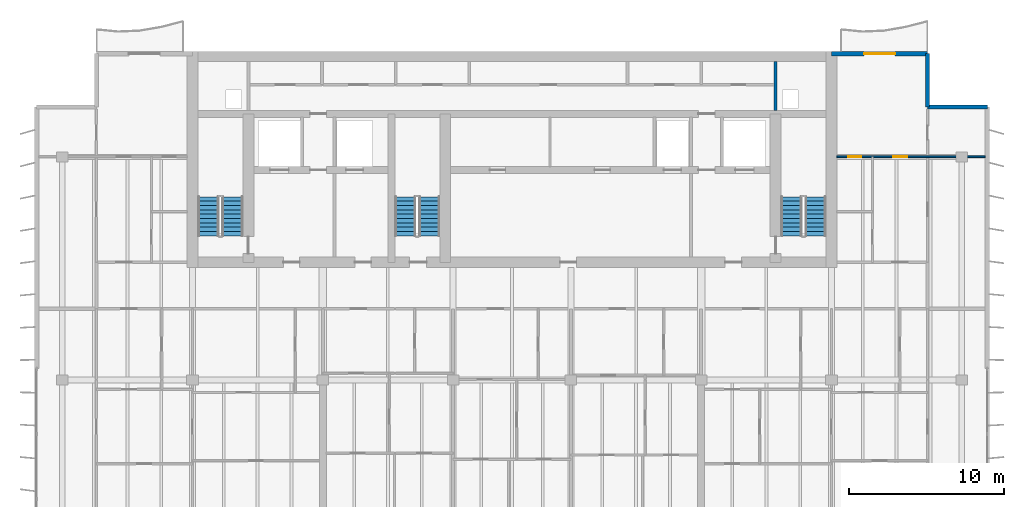
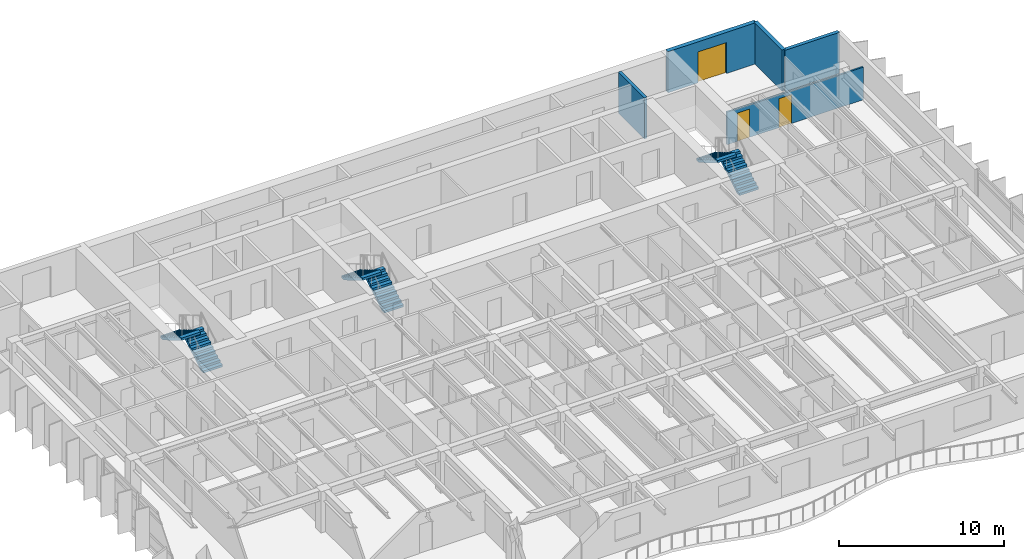
# One storey, part 11 of 16: 6 stair flights, 5 walls, 3 doors, 3 openings, 3 elements without a shape of their own.
"""IFC4 building model written with IfcOpenShell, lengths in metres."""

import ifcopenshell
import ifcopenshell.guid

model = None  # the IFC model being written
_history = None  # IfcOwnerHistory: only IFC2X3 demands one
_inside = {}  # id of a spatial element -> (the spatial element, [elements in it])
_under = {}  # id of a project, library or spatial element -> (it, [spatial elements below it])
_declared = {}  # id of a project -> (the project, [libraries it declares])
_typed = {}  # id of a type object -> (the type object, [elements of that type])
_made_of = {}  # id of a material, layer set ... -> (it, [elements and type objects made of it])


def new_model(schema):
    """Start an empty IFC model of exactly this schema.

    Asked for "IFC4X3", IfcOpenShell would pick the latest addendum, in which some entities
    have other attributes; the version numbers below select the first issue.
    IFC2X3 requires an IfcOwnerHistory on every rooted entity: one is made here for all.
    """
    global model, _history
    if schema == "IFC4X3":
        model = ifcopenshell.file(schema_version=(4, 3, 0, 0))
    else:
        model = ifcopenshell.file(schema=schema)
    _inside.clear()
    _under.clear()
    _declared.clear()
    _typed.clear()
    _made_of.clear()
    _history = None
    if model.schema == "IFC2X3":
        org = make("IfcOrganization", Name="unknown")
        user = make(
            "IfcPersonAndOrganization",
            ThePerson=make("IfcPerson", FamilyName="unknown"),
            TheOrganization=org,
        )
        app = make(
            "IfcApplication",
            ApplicationDeveloper=org,
            Version="unknown",
            ApplicationFullName="unknown",
            ApplicationIdentifier="unknown",
        )
        _history = make(
            "IfcOwnerHistory",
            OwningUser=user,
            OwningApplication=app,
            ChangeAction="ADDED",
            CreationDate=0,
        )
    return model


def make(cls, **values):
    """One entity of the class cls with the attributes given. An attribute that is None is left unset."""
    return model.create_entity(
        cls, **{name: value for name, value in values.items() if value is not None}
    )


def rooted(cls, **values):
    """An entity with a GlobalId (a new one), such as an element, a storey or a relation."""
    return make(cls, GlobalId=ifcopenshell.guid.new(), OwnerHistory=_history, **values)


def si_unit(unit_type, name, prefix=None):
    """IfcSIUnit, for example si_unit("LENGTHUNIT", "METRE", prefix="MILLI")."""
    return make("IfcSIUnit", UnitType=unit_type, Prefix=prefix, Name=name)


def assignment(units):
    """IfcUnitAssignment: the units of a project."""
    return None if units is None else make("IfcUnitAssignment", Units=units)


def point(xyz):
    """IfcCartesianPoint."""
    return None if xyz is None else make("IfcCartesianPoint", Coordinates=xyz)


def direction(xyz):
    """IfcDirection."""
    return None if xyz is None else make("IfcDirection", DirectionRatios=xyz)


def frame(location, z_axis=None, x_axis=None):
    """IfcAxis2Placement3D, a coordinate frame: its origin and axes. An axis left out is left unset."""
    return make(
        "IfcAxis2Placement3D",
        Location=point(location),
        Axis=direction(z_axis),
        RefDirection=direction(x_axis),
    )


def frame_2d(location, x_axis=None):
    """IfcAxis2Placement2D, a coordinate frame in the plane: its origin and x axis."""
    return make(
        "IfcAxis2Placement2D", Location=point(location), RefDirection=direction(x_axis)
    )


def origin():
    """The frame at (0, 0, 0) with its axes left unset."""
    return frame((0.0, 0.0, 0.0))


def place(relative_to, where):
    """IfcLocalPlacement: puts the frame where relative to a parent placement (None: the world)."""
    return make(
        "IfcLocalPlacement", PlacementRelTo=relative_to, RelativePlacement=where
    )


def context(
    kind, dimensions, precision=None, world=None, true_north=None, identifier=None
):
    """IfcGeometricRepresentationContext, for example the 3D "Model" context."""
    return make(
        "IfcGeometricRepresentationContext",
        ContextIdentifier=identifier,
        ContextType=kind,
        CoordinateSpaceDimension=dimensions,
        Precision=precision,
        WorldCoordinateSystem=world,
        TrueNorth=true_north,
    )


def subcontext(parent, identifier, kind, view, scale=None):
    """IfcGeometricRepresentationSubContext, for example "Body" below "Model"."""
    return make(
        "IfcGeometricRepresentationSubContext",
        ContextIdentifier=identifier,
        ContextType=kind,
        ParentContext=parent,
        TargetScale=scale,
        TargetView=view,
    )


def project(units=None, contexts=None):
    """IfcProject with its units and contexts."""
    return rooted(
        "IfcProject",
        Name="project",
        RepresentationContexts=contexts,
        UnitsInContext=assignment(units),
    )


def spatial(cls, under=None, at=None, **own):
    """A site, building, storey or space (cls), placed at a placement, below another one or the project."""
    s = rooted(cls, ObjectPlacement=at, **own)
    if under is not None:
        _under.setdefault(under.id(), (under, []))[1].append(s)
    return s


def polyline(points):
    """IfcPolyline through the points."""
    return make("IfcPolyline", Points=[point(p) for p in points])


def profile(cls, at=None, kind="AREA", **sizes):
    """A parametric profile (cls). Its sizes go by their IFC names, for example OverallWidth=200.0."""
    return make(cls, ProfileType=kind, Position=at, **sizes)


def rectangle(**sizes):
    """IfcRectangleProfileDef."""
    return profile("IfcRectangleProfileDef", **sizes)


def outline(outer, holes=None, kind="AREA"):
    """IfcArbitraryClosedProfileDef: a profile drawn as a closed curve; with holes, ...WithVoids."""
    if holes is None:
        return make("IfcArbitraryClosedProfileDef", ProfileType=kind, OuterCurve=outer)
    return make(
        "IfcArbitraryProfileDefWithVoids",
        ProfileType=kind,
        OuterCurve=outer,
        InnerCurves=holes,
    )


def extrude(swept, where, along, depth):
    """IfcExtrudedAreaSolid: the profile swept, set in the frame where, extruded along a direction by depth."""
    return make(
        "IfcExtrudedAreaSolid",
        SweptArea=swept,
        Position=where,
        ExtrudedDirection=direction(along),
        Depth=depth,
    )


def shape(context_of_items, identifier, shape_type, items):
    """IfcShapeRepresentation: the items that make up one representation, for example the "Body"."""
    return make(
        "IfcShapeRepresentation",
        ContextOfItems=context_of_items,
        RepresentationIdentifier=identifier,
        RepresentationType=shape_type,
        Items=items,
    )


def material(Name=None, Category=None):
    """IfcMaterial."""
    return make("IfcMaterial", Name=Name, Category=Category)


def layer(
    of_material, thickness, ventilated=None, Name=None, Category=None, Priority=None
):
    """IfcMaterialLayer: one layer of a wall or slab, of a material (None: an air gap)."""
    return make(
        "IfcMaterialLayer",
        Material=of_material,
        LayerThickness=thickness,
        IsVentilated=ventilated,
        Name=Name,
        Category=Category,
        Priority=Priority,
    )


def layer_set(layers, Name=None):
    """IfcMaterialLayerSet."""
    return make("IfcMaterialLayerSet", MaterialLayers=layers, LayerSetName=Name)


def made_of(thing, what):
    """Note that an element or type object is made of a material, layer set ...; save() writes the relation."""
    if what is not None:
        _made_of.setdefault(what.id(), (what, []))[1].append(thing)
    return thing


def type_object(cls, material=None, **own):
    """A type object (cls), such as IfcWallType, which elements share."""
    return made_of(rooted(cls, **own), material)


def element(
    cls,
    number,
    at=None,
    inside=None,
    cuts=None,
    type_object=None,
    material=None,
    context=None,
    identifier="Body",
    shape_type=None,
    held_by="IfcProductDefinitionShape",
    body=None,
    shapes=None,
    **own,
):
    """One element of the class cls, such as IfcWall. Its Tag is "e" and its number.

    at: its placement. inside: the storey or other place that contains it. cuts: it is an
    opening in that element (IfcRelVoidsElement). A single representation is given by context,
    identifier, shape_type and body (its items); several are given by shapes. held_by: the class
    of the entity that holds the representations. save() writes the other relations.
    """
    e = rooted(cls, Tag="e%d" % number, ObjectPlacement=at, **own)
    if body is not None:
        shapes = [shape(context, identifier, shape_type, body)]
    if shapes is not None:
        e.Representation = make(held_by, Representations=shapes)
    if inside is not None:
        _inside.setdefault(inside.id(), (inside, []))[1].append(e)
    if cuts is not None:
        rooted(
            "IfcRelVoidsElement", RelatingBuildingElement=cuts, RelatedOpeningElement=e
        )
    if type_object is not None:
        _typed.setdefault(type_object.id(), (type_object, []))[1].append(e)
    return made_of(e, material)


def fill(opening, filler):
    """IfcRelFillsElement: the door or window that sits in an opening."""
    return rooted(
        "IfcRelFillsElement",
        RelatingOpeningElement=opening,
        RelatedBuildingElement=filler,
    )


def aggregate(whole, parts):
    """IfcRelAggregates: a whole, such as a stair, and the parts it consists of."""
    return rooted("IfcRelAggregates", RelatingObject=whole, RelatedObjects=parts)


def save(model, path):
    """Write the relations noted so far, then the file.

    IfcRelAggregates (storeys below a building ...), IfcRelContainedInSpatialStructure (elements
    in a storey), IfcRelDefinesByType, IfcRelAssociatesMaterial and IfcRelDeclares: one each for
    every whole, place, type object, material and project.
    """
    for whole, parts in _under.values():
        aggregate(whole, parts)
    for where, things in _inside.values():
        rooted(
            "IfcRelContainedInSpatialStructure",
            RelatedElements=things,
            RelatingStructure=where,
        )
    for kind, things in _typed.values():
        rooted("IfcRelDefinesByType", RelatedObjects=things, RelatingType=kind)
    for what, things in _made_of.values():
        rooted("IfcRelAssociatesMaterial", RelatedObjects=things, RelatingMaterial=what)
    for by, libraries in _declared.values():
        rooted("IfcRelDeclares", RelatingContext=by, RelatedDefinitions=libraries)
    model.write(path)


model = new_model("IFC4")

# Units and contexts
model_context = context("Model", 3, precision=1e-05, world=origin(), true_north=direction((0.0, 1.0)))
body_context = subcontext(model_context, "Body", "Model", "MODEL_VIEW")
ifc_project = project(units=[si_unit("LENGTHUNIT", "METRE"), si_unit("AREAUNIT", "SQUARE_METRE"), si_unit("VOLUMEUNIT", "CUBIC_METRE"), si_unit("PLANEANGLEUNIT", "RADIAN"), si_unit("MASSUNIT", "GRAM", prefix="KILO")], contexts=[model_context])

# Site, building, storey
site_placement = place(None, origin())
site = spatial("IfcSite", under=ifc_project, at=site_placement, CompositionType="ELEMENT")
building_placement = place(site_placement, origin())
building = spatial("IfcBuilding", under=site, at=building_placement, Name="Caelmar Bay Residences", CompositionType="ELEMENT")
storey_placement = place(building_placement, frame((0.0, 0.0, 233.10009765625)))
storey = spatial("IfcBuildingStorey", under=building, at=storey_placement, Name="L65", CompositionType="ELEMENT", Elevation=233.10009765625)

# Walls
ifc_material_1 = material(Name="Precast concrete f'c 40 MPa (6,000 psi)", Category="concrete")
ifc_layer_1 = layer(ifc_material_1, 0.25)
ifc_layer_set_1 = layer_set([ifc_layer_1], Name="Precast concrete f'c 40 MPa (6,000 psi)")
wall_type_1 = type_object("IfcWallType", Name="W-EXT-250", PredefinedType="ELEMENTEDWALL", material=ifc_layer_set_1)
wall_1_placement = place(storey_placement, frame((65.699951171875, 50.449951171875, 0.0), z_axis=(0.0, 0.0, 1.0), x_axis=(0.0, -1.0, 0.0)))
element("IfcWall", 1, at=wall_1_placement, inside=storey, type_object=wall_type_1, Name="L65 NNE-V Notch Wall", PredefinedType="ELEMENTEDWALL", context=body_context, shape_type="SweptSolid", body=[
    extrude(rectangle(XDim=3.449951171875, YDim=0.25, at=frame_2d((1.72509765625, 0.0))), origin(), (0.0, 0.0, 1.0), 3.0498046875),
])
wall_2_placement = place(storey_placement, frame((65.699951171875, 47.0, 0.0), z_axis=(0.0, 0.0, 1.0), x_axis=(1.0, 0.0, 0.0)))
element("IfcWall", 2, at=wall_2_placement, inside=storey, type_object=wall_type_1, Name="L65 NNE-H Notch Wall", PredefinedType="ELEMENTEDWALL", context=body_context, shape_type="SweptSolid", body=[
    extrude(rectangle(XDim=3.85009765625, YDim=0.25, at=frame_2d((1.925048828125, 0.0))), origin(), (0.0, 0.0, 1.0), 3.0498046875),
])

# Wall, opening, door
ifc_layer_2 = layer(ifc_material_1, 0.300048828125)
ifc_layer_set_2 = layer_set([ifc_layer_2], Name="Precast concrete f'c 40 MPa (6,000 psi)")
wall_type_2 = type_object("IfcWallType", Name="W-EXT-300", PredefinedType="STANDARD", material=ifc_layer_set_2)
wall_3_placement = place(storey_placement, frame((59.5, 50.449951171875, 0.0), z_axis=(0.0, 0.0, 1.0), x_axis=(1.0, 0.0, 0.0)))
wall_3 = element("IfcWall", 3, at=wall_3_placement, inside=storey, type_object=wall_type_2, Name="L65 North-East Wing Exterior Wall", PredefinedType="STANDARD", context=body_context, shape_type="SweptSolid", body=[
    extrude(rectangle(XDim=6.199951171875, YDim=0.300048828125, at=frame_2d((3.10009765625, 0.0))), origin(), (0.0, 0.0, 1.0), 3.0498046875),
])
opening_1_placement = place(wall_3_placement, frame((2.10009765625, 0.0, 0.0)))
opening_1 = element("IfcOpeningElement", 4, at=opening_1_placement, cuts=wall_3, Name="Opening L65-BDNE", PredefinedType="OPENING", context=body_context, shape_type="SweptSolid", body=[
    extrude(rectangle(XDim=2.0, YDim=2.300048828125, at=frame_2d((1.0, 1.14990234375))), frame((0.0, 0.159912109375, 0.0), z_axis=(0.0, -1.0, 0.0), x_axis=(1.0, 0.0, 0.0)), (0.0, 0.0, 1.0), 0.320068359375),
])
ifc_material_2 = material(Name="Anodised bronze thermally broken sliding glass door", Category="glass")
ifc_layer_3 = layer(ifc_material_2, 0.050048828125)
ifc_layer_set_3 = layer_set([ifc_layer_3], Name="Anodised bronze thermally broken sliding glass door")
door_type_1 = type_object("IfcDoorType", Name="D-BAL-2000", OperationType="DOUBLE_DOOR_SLIDING", PredefinedType="DOOR", material=ifc_layer_set_3)
door_1_placement = place(opening_1_placement, origin())
door_1 = element("IfcDoor", 5, at=door_1_placement, inside=storey, type_object=door_type_1, Name="L65 North-East Balcony Door", OperationType="DOUBLE_DOOR_SLIDING", OverallHeight=2.300048828125, OverallWidth=2.0, PredefinedType="DOOR", context=body_context, shape_type="SweptSolid", body=[
    extrude(rectangle(XDim=2.0, YDim=2.300048828125, at=frame_2d((1.0, 1.14990234375))), frame((0.0, 0.02490234375, 0.0), z_axis=(0.0, -1.0, 0.0), x_axis=(1.0, 0.0, 0.0)), (0.0, 0.0, 1.0), 0.050048828125),
])
fill(opening_1, door_1)

# Wall
ifc_material_3 = material(Name="Fire-rated masonry and gypsum shaftliner assembly 200 mm", Category="masonry")
ifc_layer_4 = layer(ifc_material_3, 0.199951171875)
ifc_layer_set_4 = layer_set([ifc_layer_4], Name="Fire-rated masonry and gypsum shaftliner assembly 200 mm")
wall_type_3 = type_object("IfcWallType", Name="W-FSAE-200", PredefinedType="PARTITIONING", material=ifc_layer_set_4)
wall_4_placement = place(storey_placement, frame((55.89990234375, 46.794921875, 0.0), z_axis=(0.0, 0.0, 1.0), x_axis=(0.0, 1.0, 0.0)))
element("IfcWall", 6, at=wall_4_placement, inside=storey, type_object=wall_type_3, Name="L65 Partition Wall V054", PredefinedType="PARTITIONING", context=body_context, shape_type="SweptSolid", body=[
    extrude(rectangle(XDim=3.16015625, YDim=0.199951171875, at=frame_2d((1.580078125, 0.0))), origin(), (0.0, 0.0, 1.0), 3.0498046875),
])

# Wall, openings, doors
ifc_material_4 = material(Name="Acoustic metal-stud gypsum partition 120 mm")
ifc_layer_5 = layer(ifc_material_4, 0.1201171875)
ifc_layer_set_5 = layer_set([ifc_layer_5], Name="Acoustic metal-stud gypsum partition 120 mm")
wall_type_4 = type_object("IfcWallType", Name="W-PRT-120", PredefinedType="PARTITIONING", material=ifc_layer_set_5)
wall_5_placement = place(storey_placement, frame((59.844970703125, 43.800048828125, 0.0), z_axis=(0.0, 0.0, 1.0), x_axis=(1.0, 0.0, 0.0)))
wall_5 = element("IfcWall", 7, at=wall_5_placement, inside=storey, type_object=wall_type_4, Name="L65 Partition Wall H098", PredefinedType="PARTITIONING", context=body_context, shape_type="SweptSolid", body=[
    extrude(rectangle(XDim=9.56005859375, YDim=0.1201171875, at=frame_2d((4.780029296875, 0.0))), origin(), (0.0, 0.0, 1.0), 2.41796875),
])
opening_2_placement = place(wall_5_placement, frame((3.6298828125, 0.0, 0.0)))
opening_2 = element("IfcOpeningElement", 8, at=opening_2_placement, cuts=wall_5, Name="Opening D-L65-173", PredefinedType="OPENING", context=body_context, shape_type="SweptSolid", body=[
    extrude(rectangle(XDim=0.89990234375, YDim=2.14990234375, at=frame_2d((0.449951171875, 1.074951171875))), frame((0.0, 0.070068359375, 0.0), z_axis=(0.0, -1.0, 0.0), x_axis=(1.0, 0.0, 0.0)), (0.0, 0.0, 1.0), 0.14013671875),
])
opening_3_placement = place(wall_5_placement, frame((0.7275390625, 0.0, 0.0)))
opening_3 = element("IfcOpeningElement", 9, at=opening_3_placement, cuts=wall_5, Name="Opening D-L65-175", PredefinedType="OPENING", context=body_context, shape_type="SweptSolid", body=[
    extrude(rectangle(XDim=0.85009765625, YDim=2.10009765625, at=frame_2d((0.425048828125, 1.050048828125))), frame((0.0, 0.070068359375, 0.0), z_axis=(0.0, -1.0, 0.0), x_axis=(1.0, 0.0, 0.0)), (0.0, 0.0, 1.0), 0.14013671875),
])
ifc_material_5 = material(Name="Solid walnut timber interior door leaf and frame", Category="wood")
ifc_layer_6 = layer(ifc_material_5, 0.050048828125)
ifc_layer_set_6 = layer_set([ifc_layer_6], Name="Solid walnut timber interior door leaf and frame")
door_type_2 = type_object("IfcDoorType", Name="D-BATH-850", OperationType="NOTDEFINED", PredefinedType="DOOR", material=ifc_layer_set_6)
door_2_placement = place(opening_3_placement, origin())
door_2 = element("IfcDoor", 10, at=door_2_placement, inside=storey, type_object=door_type_2, Name="L65 Residence EA Bathroom Door", OperationType="SINGLE_SWING_RIGHT", OverallHeight=2.10009765625, OverallWidth=0.85009765625, PredefinedType="DOOR", context=body_context, shape_type="SweptSolid", body=[
    extrude(rectangle(XDim=0.85009765625, YDim=2.10009765625, at=frame_2d((0.425048828125, 1.050048828125))), frame((0.0, 0.02490234375, 0.0), z_axis=(0.0, -1.0, 0.0), x_axis=(1.0, 0.0, 0.0)), (0.0, 0.0, 1.0), 0.050048828125),
])
fill(opening_3, door_2)
ifc_layer_7 = layer(ifc_material_5, 0.050048828125)
ifc_layer_set_7 = layer_set([ifc_layer_7], Name="Solid walnut timber interior door leaf and frame")
door_type_3 = type_object("IfcDoorType", Name="D-ROOM-900", OperationType="NOTDEFINED", PredefinedType="DOOR", material=ifc_layer_set_7)
door_3_placement = place(opening_2_placement, origin())
door_3 = element("IfcDoor", 11, at=door_3_placement, inside=storey, type_object=door_type_3, Name="L65 Residence EA Studio Living and Sleeping Room Door", OperationType="SINGLE_SWING_RIGHT", OverallHeight=2.14990234375, OverallWidth=0.89990234375, PredefinedType="DOOR", context=body_context, shape_type="SweptSolid", body=[
    extrude(rectangle(XDim=0.89990234375, YDim=2.14990234375, at=frame_2d((0.449951171875, 1.074951171875))), frame((0.0, 0.02490234375, 0.0), z_axis=(0.0, -1.0, 0.0), x_axis=(1.0, 0.0, 0.0)), (0.0, 0.0, 1.0), 0.050048828125),
])
fill(opening_2, door_3)

# Stair, stair flights
ifc_material_6 = material(Name="Concrete f'c 40 MPa (6,000 psi)", Category="concrete")
stair_type = type_object("IfcStairType", Name="ST-TYP-165", PredefinedType="HALF_TURN_STAIR", material=ifc_material_6)
stair_1_placement = place(storey_placement, origin())
stair_1 = element("IfcStair", 12, at=stair_1_placement, inside=storey, type_object=stair_type, Name="L65 West Smokeproof Exit Stair ST1", PredefinedType="HALF_TURN_STAIR")
stair_flight_type = type_object("IfcStairFlightType", Name="STF-1350", PredefinedType="STRAIGHT", material=ifc_material_6)
stair_flight_1_placement = place(storey_placement, frame((20.875, 38.699951171875, 0.0), z_axis=(0.0, 0.0, 1.0), x_axis=(0.0, 1.0, 0.0)))
stair_flight_1 = element("IfcStairFlight", 13, at=stair_flight_1_placement, type_object=stair_flight_type, Name="ST1 flight 1", NumberOfRisers=10, NumberOfTreads=9, PredefinedType="STRAIGHT", RiserHeight=0.165, TreadLength=0.28, context=body_context, shape_type="SweptSolid", body=[
    extrude(outline(polyline([(0.0, 0.0), (0.0, 0.1650390625), (0.280029296875, 0.1650390625), (0.280029296875, 0.330078125), (0.56005859375, 0.330078125), (0.56005859375, 0.4951171875), (0.840087890625, 0.4951171875), (0.840087890625, 0.659912109375), (1.1201171875, 0.659912109375), (1.1201171875, 0.824951171875), (1.39990234375, 0.824951171875), (1.39990234375, 0.989990234375), (1.679931640625, 0.989990234375), (1.679931640625, 1.155029296875), (1.9599609375, 1.155029296875), (1.9599609375, 1.320068359375), (2.239990234375, 1.320068359375), (2.239990234375, 1.485107421875), (2.52001953125, 1.485107421875), (2.52001953125, 1.64990234375), (2.52001953125, 1.31103515625), (0.295166015625, 0.0), (0.0, 0.0)])), frame((0.0, 0.675048828125, 0.0), z_axis=(0.0, -1.0, 0.0), x_axis=(1.0, 0.0, 0.0)), (0.0, 0.0, 1.0), 1.35009765625),
])
stair_flight_2_placement = place(storey_placement, frame((19.324951171875, 41.219970703125, 1.64990234375), z_axis=(0.0, 0.0, 1.0), x_axis=(0.0, -1.0, 0.0)))
stair_flight_2 = element("IfcStairFlight", 14, at=stair_flight_2_placement, type_object=stair_flight_type, Name="ST1 flight 2", NumberOfRisers=10, NumberOfTreads=9, PredefinedType="STRAIGHT", RiserHeight=0.165, TreadLength=0.28, context=body_context, shape_type="SweptSolid", body=[
    extrude(outline(polyline([(0.0, 0.0), (0.0, 0.1650390625), (0.280029296875, 0.1650390625), (0.280029296875, 0.330078125), (0.56005859375, 0.330078125), (0.56005859375, 0.4951171875), (0.840087890625, 0.4951171875), (0.840087890625, 0.659912109375), (1.1201171875, 0.659912109375), (1.1201171875, 0.824951171875), (1.39990234375, 0.824951171875), (1.39990234375, 0.989990234375), (1.679931640625, 0.989990234375), (1.679931640625, 1.155029296875), (1.9599609375, 1.155029296875), (1.9599609375, 1.320068359375), (2.239990234375, 1.320068359375), (2.239990234375, 1.485107421875), (2.52001953125, 1.485107421875), (2.52001953125, 1.64990234375), (2.52001953125, 1.31103515625), (0.295166015625, 0.0), (0.0, 0.0)])), frame((0.0, 0.675048828125, 0.0), z_axis=(0.0, -1.0, 0.0), x_axis=(1.0, 0.0, 0.0)), (0.0, 0.0, 1.0), 1.35009765625),
])
aggregate(stair_1, [stair_flight_1, stair_flight_2])

stair_2_placement = place(storey_placement, origin())
stair_2 = element("IfcStair", 15, at=stair_2_placement, inside=storey, type_object=stair_type, Name="L65 East Smokeproof Exit Stair ST2", PredefinedType="HALF_TURN_STAIR")
stair_flight_3_placement = place(storey_placement, frame((58.47509765625, 38.699951171875, 0.0), z_axis=(0.0, 0.0, 1.0), x_axis=(0.0, 1.0, 0.0)))
stair_flight_3 = element("IfcStairFlight", 16, at=stair_flight_3_placement, type_object=stair_flight_type, Name="ST2 flight 1", NumberOfRisers=10, NumberOfTreads=9, PredefinedType="STRAIGHT", RiserHeight=0.165, TreadLength=0.28, context=body_context, shape_type="SweptSolid", body=[
    extrude(outline(polyline([(0.0, 0.0), (0.0, 0.1650390625), (0.280029296875, 0.1650390625), (0.280029296875, 0.330078125), (0.56005859375, 0.330078125), (0.56005859375, 0.4951171875), (0.840087890625, 0.4951171875), (0.840087890625, 0.659912109375), (1.1201171875, 0.659912109375), (1.1201171875, 0.824951171875), (1.39990234375, 0.824951171875), (1.39990234375, 0.989990234375), (1.679931640625, 0.989990234375), (1.679931640625, 1.155029296875), (1.9599609375, 1.155029296875), (1.9599609375, 1.320068359375), (2.239990234375, 1.320068359375), (2.239990234375, 1.485107421875), (2.52001953125, 1.485107421875), (2.52001953125, 1.64990234375), (2.52001953125, 1.31103515625), (0.295166015625, 0.0), (0.0, 0.0)])), frame((0.0, 0.675048828125, 0.0), z_axis=(0.0, -1.0, 0.0), x_axis=(1.0, 0.0, 0.0)), (0.0, 0.0, 1.0), 1.35009765625),
])
stair_flight_4_placement = place(storey_placement, frame((56.925048828125, 41.219970703125, 1.64990234375), z_axis=(0.0, 0.0, 1.0), x_axis=(0.0, -1.0, 0.0)))
stair_flight_4 = element("IfcStairFlight", 17, at=stair_flight_4_placement, type_object=stair_flight_type, Name="ST2 flight 2", NumberOfRisers=10, NumberOfTreads=9, PredefinedType="STRAIGHT", RiserHeight=0.165, TreadLength=0.28, context=body_context, shape_type="SweptSolid", body=[
    extrude(outline(polyline([(0.0, 0.0), (0.0, 0.1650390625), (0.280029296875, 0.1650390625), (0.280029296875, 0.330078125), (0.56005859375, 0.330078125), (0.56005859375, 0.4951171875), (0.840087890625, 0.4951171875), (0.840087890625, 0.659912109375), (1.1201171875, 0.659912109375), (1.1201171875, 0.824951171875), (1.39990234375, 0.824951171875), (1.39990234375, 0.989990234375), (1.679931640625, 0.989990234375), (1.679931640625, 1.155029296875), (1.9599609375, 1.155029296875), (1.9599609375, 1.320068359375), (2.239990234375, 1.320068359375), (2.239990234375, 1.485107421875), (2.52001953125, 1.485107421875), (2.52001953125, 1.64990234375), (2.52001953125, 1.31103515625), (0.295166015625, 0.0), (0.0, 0.0)])), frame((0.0, 0.675048828125, 0.0), z_axis=(0.0, -1.0, 0.0), x_axis=(1.0, 0.0, 0.0)), (0.0, 0.0, 1.0), 1.35009765625),
])
aggregate(stair_2, [stair_flight_3, stair_flight_4])

stair_3_placement = place(storey_placement, origin())
stair_3 = element("IfcStair", 18, at=stair_3_placement, inside=storey, type_object=stair_type, Name="L65 Central Smokeproof Exit Stair ST3", PredefinedType="HALF_TURN_STAIR")
stair_flight_5_placement = place(storey_placement, frame((33.574951171875, 38.699951171875, 0.0), z_axis=(0.0, 0.0, 1.0), x_axis=(0.0, 1.0, 0.0)))
stair_flight_5 = element("IfcStairFlight", 19, at=stair_flight_5_placement, type_object=stair_flight_type, Name="ST3 flight 1", NumberOfRisers=10, NumberOfTreads=9, PredefinedType="STRAIGHT", RiserHeight=0.165, TreadLength=0.28, context=body_context, shape_type="SweptSolid", body=[
    extrude(outline(polyline([(0.0, 0.0), (0.0, 0.1650390625), (0.280029296875, 0.1650390625), (0.280029296875, 0.330078125), (0.56005859375, 0.330078125), (0.56005859375, 0.4951171875), (0.840087890625, 0.4951171875), (0.840087890625, 0.659912109375), (1.1201171875, 0.659912109375), (1.1201171875, 0.824951171875), (1.39990234375, 0.824951171875), (1.39990234375, 0.989990234375), (1.679931640625, 0.989990234375), (1.679931640625, 1.155029296875), (1.9599609375, 1.155029296875), (1.9599609375, 1.320068359375), (2.239990234375, 1.320068359375), (2.239990234375, 1.485107421875), (2.52001953125, 1.485107421875), (2.52001953125, 1.64990234375), (2.52001953125, 1.31103515625), (0.295166015625, 0.0), (0.0, 0.0)])), frame((0.0, 0.675048828125, 0.0), z_axis=(0.0, -1.0, 0.0), x_axis=(1.0, 0.0, 0.0)), (0.0, 0.0, 1.0), 1.35009765625),
])
stair_flight_6_placement = place(storey_placement, frame((32.02490234375, 41.219970703125, 1.64990234375), z_axis=(0.0, 0.0, 1.0), x_axis=(0.0, -1.0, 0.0)))
stair_flight_6 = element("IfcStairFlight", 20, at=stair_flight_6_placement, type_object=stair_flight_type, Name="ST3 flight 2", NumberOfRisers=10, NumberOfTreads=9, PredefinedType="STRAIGHT", RiserHeight=0.165, TreadLength=0.28, context=body_context, shape_type="SweptSolid", body=[
    extrude(outline(polyline([(0.0, 0.0), (0.0, 0.1650390625), (0.280029296875, 0.1650390625), (0.280029296875, 0.330078125), (0.56005859375, 0.330078125), (0.56005859375, 0.4951171875), (0.840087890625, 0.4951171875), (0.840087890625, 0.659912109375), (1.1201171875, 0.659912109375), (1.1201171875, 0.824951171875), (1.39990234375, 0.824951171875), (1.39990234375, 0.989990234375), (1.679931640625, 0.989990234375), (1.679931640625, 1.155029296875), (1.9599609375, 1.155029296875), (1.9599609375, 1.320068359375), (2.239990234375, 1.320068359375), (2.239990234375, 1.485107421875), (2.52001953125, 1.485107421875), (2.52001953125, 1.64990234375), (2.52001953125, 1.31103515625), (0.295166015625, 0.0), (0.0, 0.0)])), frame((0.0, 0.675048828125, 0.0), z_axis=(0.0, -1.0, 0.0), x_axis=(1.0, 0.0, 0.0)), (0.0, 0.0, 1.0), 1.35009765625),
])
aggregate(stair_3, [stair_flight_5, stair_flight_6])

save(model, "model.ifc")
